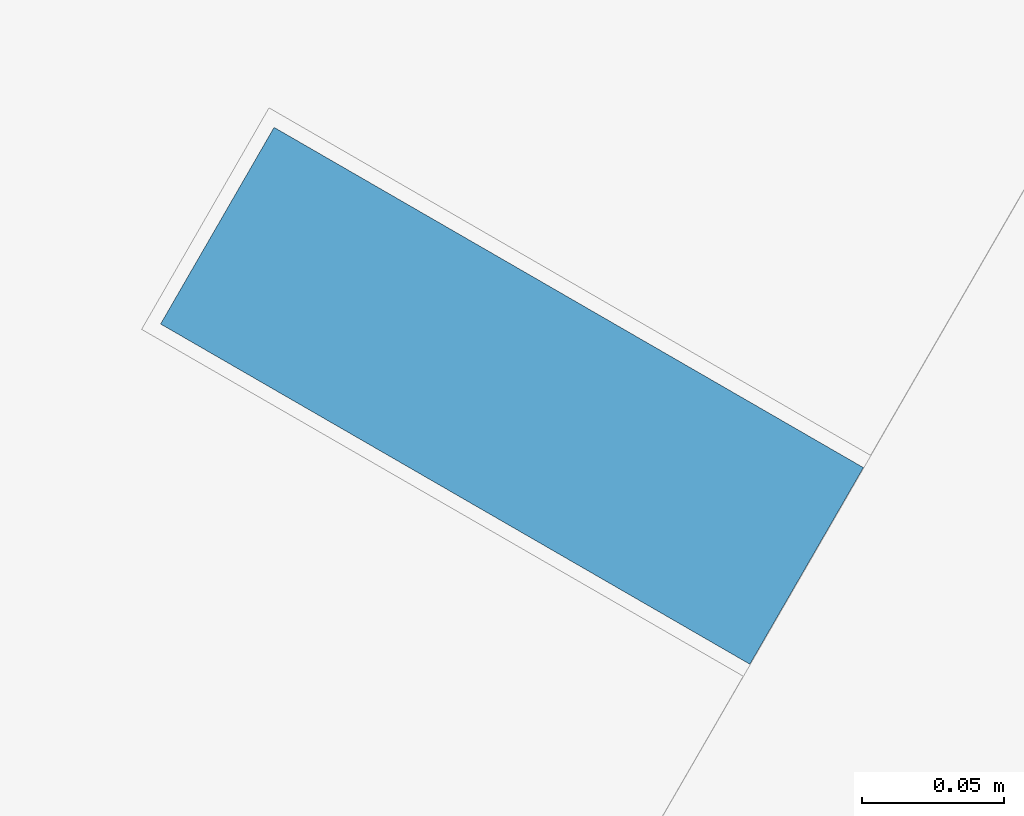
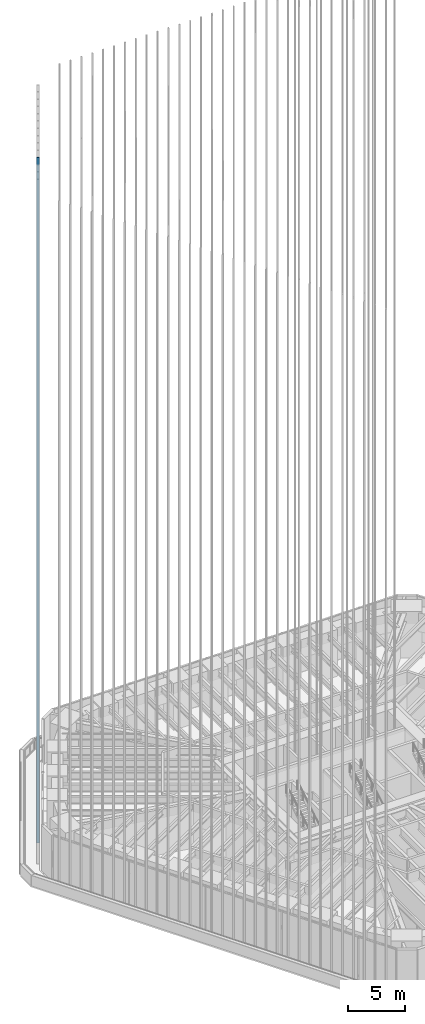
# One storey, part 136 of 228: 1 member, 1 element without a shape of its own.
"""IFC4 building model written with IfcOpenShell, lengths in metres."""

from ifc_helpers import new_model, si_unit, direction, frame, origin, origin_2d, place, context, subcontext, project, spatial, rectangle, extrude, material, material_profile, profile_set, type_object, element, aggregate, save


model = new_model("IFC4")

# Units and contexts
model_context = context("Model", 3, precision=1e-05, world=origin(), true_north=direction((0.0, 1.0)))
body_context = subcontext(model_context, "Body", "Model", "MODEL_VIEW")
ifc_project = project(units=[si_unit("LENGTHUNIT", "METRE"), si_unit("AREAUNIT", "SQUARE_METRE"), si_unit("VOLUMEUNIT", "CUBIC_METRE"), si_unit("PLANEANGLEUNIT", "RADIAN"), si_unit("MASSUNIT", "GRAM", prefix="KILO")], contexts=[model_context])

# Site, building, storey
site_placement = place(None, origin())
site = spatial("IfcSite", under=ifc_project, at=site_placement, CompositionType="ELEMENT")
building_placement = place(site_placement, origin())
building = spatial("IfcBuilding", under=site, at=building_placement, Name="Sandreach Pilgrim Tower", CompositionType="ELEMENT")
storey_placement = place(building_placement, frame((0.0, 0.0, 178.199951171875)))
storey = spatial("IfcBuildingStorey", under=building, at=storey_placement, Name="L44", CompositionType="ELEMENT", Elevation=178.199951171875)

# Curtain wall, member
ifc_material_1 = material(Name="Aluminium framed curtain wall", Category="aluminium")
curtain_wall_type = type_object("IfcCurtainWallType", Name="Upper hotel tower curtain wall", PredefinedType="NOTDEFINED", material=ifc_material_1)
curtain_wall_placement = place(storey_placement, origin())
curtain_wall = element("IfcCurtainWall", 1, at=curtain_wall_placement, inside=storey, type_object=curtain_wall_type, Name="CW-3 L44 NW", PredefinedType="NOTDEFINED")
ifc_material_2 = material(Name="Extruded terracotta on aluminium core", Category="masonry")
ifc_material_profile = material_profile(ifc_material_2, rectangle(XDim=0.080078125, YDim=0.239990234375, at=origin_2d()), Name="TBW 80X240")
ifc_profile_set = profile_set([ifc_material_profile], Name="Extruded terracotta on aluminium core")
member_type = type_object("IfcMemberType", Name="Terracotta baguette west", PredefinedType="USERDEFINED", material=ifc_profile_set)
member_placement = place(storey_placement, frame((-25.28125, 10.10205078125, 0.0), z_axis=(0.0, 0.0, 1.0), x_axis=(0.5, 0.866025403784, 0.0)))
member = element("IfcMember", 2, at=member_placement, type_object=member_type, Name="Baguette Z3 NW04", ObjectType="BAGUETTE", PredefinedType="USERDEFINED", context=body_context, shape_type="SweptSolid", body=[
    extrude(rectangle(XDim=0.080078125, YDim=0.239990234375, at=origin_2d()), origin(), (0.0, 0.0, 1.0), 73.239990234375),
])
aggregate(curtain_wall, [member])

save(model, "model.ifc")
